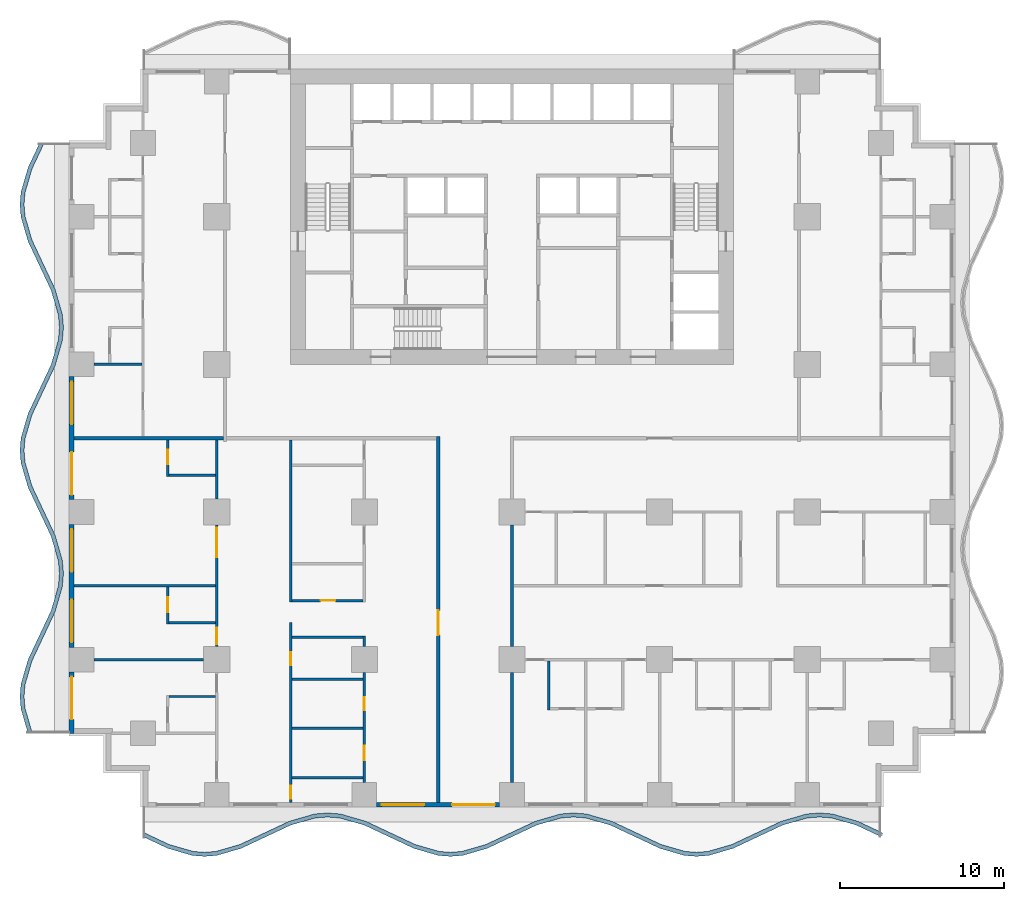
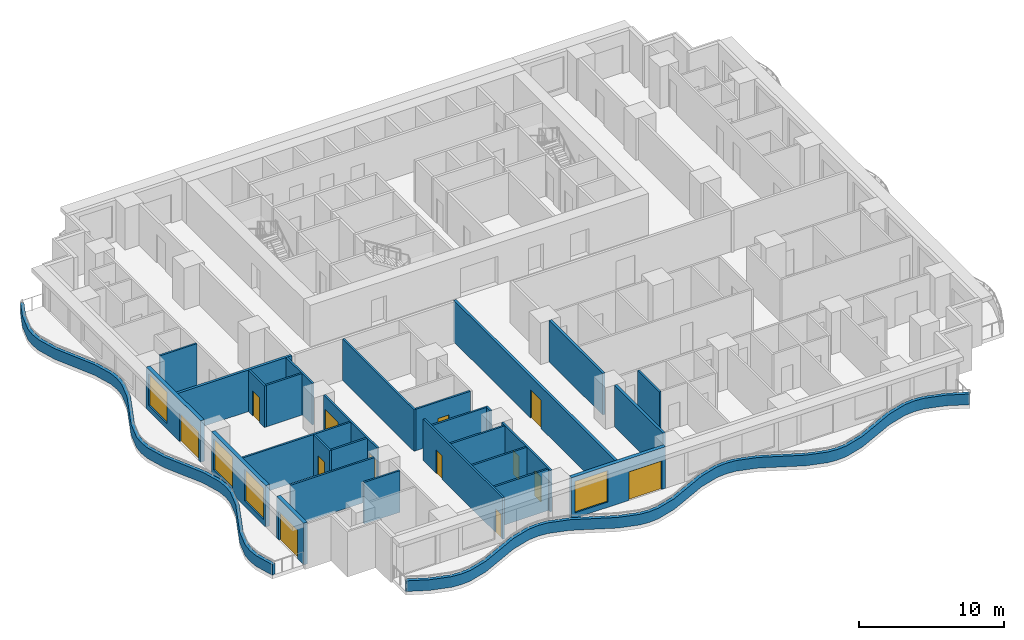
# One storey, part 2 of 14: 30 walls, 13 doors, 4 windows, 17 openings.
"""IFC4 building model written with IfcOpenShell, lengths in metres."""

from ifc_helpers import new_model, si_unit, direction, frame, frame_2d, origin, place, context, subcontext, project, spatial, polyline, rectangle, outline, extrude, material, layer, layer_set, type_object, element, fill, save


model = new_model("IFC4")

# Units and contexts
model_context = context("Model", 3, precision=1e-05, world=origin(), true_north=direction((0.0, 1.0)))
body_context = subcontext(model_context, "Body", "Model", "MODEL_VIEW")
ifc_project = project(units=[si_unit("LENGTHUNIT", "METRE"), si_unit("AREAUNIT", "SQUARE_METRE"), si_unit("VOLUMEUNIT", "CUBIC_METRE"), si_unit("PLANEANGLEUNIT", "RADIAN"), si_unit("MASSUNIT", "GRAM", prefix="KILO")], contexts=[model_context])

# Site, building, storey
site_placement = place(None, origin())
site = spatial("IfcSite", under=ifc_project, at=site_placement, CompositionType="ELEMENT")
building_placement = place(site_placement, origin())
building = spatial("IfcBuilding", under=site, at=building_placement, Name="Orbiselva Terraces", CompositionType="ELEMENT")
storey_placement = place(building_placement, frame((0.0, 0.0, 15.0)))
storey = spatial("IfcBuildingStorey", under=building, at=storey_placement, Name="L03", CompositionType="ELEMENT", Elevation=15.0)

# Walls
ifc_material_1 = material(Name="Concrete C40/50", Category="concrete")
ifc_layer_1 = layer(ifc_material_1, 0.25)
ifc_layer_set_1 = layer_set([ifc_layer_1], Name="Concrete C40/50")
wall_type_1 = type_object("IfcWallType", Name="ENV-PLANTER-250x900", PredefinedType="USERDEFINED", material=ifc_layer_set_1)
wall_1_placement = place(storey_placement, origin())
element("IfcWall", 1, at=wall_1_placement, inside=storey, type_object=wall_type_1, Name="Balcony planter L03 S", ObjectType="PLANTER", PredefinedType="USERDEFINED", context=body_context, shape_type="SweptSolid", body=[
    extrude(outline(polyline([(-22.5, -24.3), (-21.0, -25.005342), (-19.5, -25.441268), (-18.75, -25.5), (-18.0, -25.441268), (-16.5, -25.005342), (-15.0, -24.3), (-13.5, -23.594658), (-12.0, -23.158732), (-11.25, -23.1), (-10.5, -23.158732), (-9.0, -23.594658), (-7.5, -24.3), (-6.0, -25.005342), (-4.5, -25.441268), (-3.75, -25.5), (-3.0, -25.441268), (-1.5, -25.005342), (0.0, -24.3), (1.5, -23.594658), (3.0, -23.158732), (3.75, -23.1), (4.5, -23.158732), (6.0, -23.594658), (7.5, -24.3), (9.0, -25.005342), (10.5, -25.441268), (11.25, -25.5), (12.0, -25.441268), (13.5, -25.005342), (15.0, -24.3), (16.5, -23.594658), (18.0, -23.158732), (18.75, -23.1), (19.5, -23.158732), (21.0, -23.594658), (22.5, -24.3), (22.606383, -24.073764), (21.088618, -23.360069), (19.545114, -22.911499), (18.75, -22.849235), (17.954886, -22.911499), (16.411382, -23.360069), (14.893617, -24.073764), (13.411382, -24.770753), (11.954886, -25.194035), (11.25, -25.249235), (10.545114, -25.194035), (9.088618, -24.770753), (7.606383, -24.073764), (6.088618, -23.360069), (4.545114, -22.911499), (3.75, -22.849235), (2.954886, -22.911499), (1.411382, -23.360069), (-0.106383, -24.073764), (-1.588618, -24.770753), (-3.045114, -25.194035), (-3.75, -25.249235), (-4.454886, -25.194035), (-5.911382, -24.770753), (-7.393617, -24.073764), (-8.911382, -23.360069), (-10.454886, -22.911499), (-11.25, -22.849235), (-12.045114, -22.911499), (-13.588618, -23.360069), (-15.106383, -24.073764), (-16.588618, -24.770753), (-18.045114, -25.194035), (-18.75, -25.249235), (-19.454886, -25.194035), (-20.911382, -24.770753), (-22.393617, -24.073764), (-22.5, -24.3)])), origin(), (0.0, 0.0, 1.0), 0.9),
])
wall_2_placement = place(storey_placement, origin())
element("IfcWall", 2, at=wall_2_placement, inside=storey, type_object=wall_type_1, Name="Balcony planter L03 W", ObjectType="PLANTER", PredefinedType="USERDEFINED", context=body_context, shape_type="SweptSolid", body=[
    extrude(outline(polyline([(-28.8, 18.0), (-29.505342, 16.5), (-29.941268, 15.0), (-30.0, 14.25), (-29.941268, 13.5), (-29.505342, 12.0), (-28.8, 10.5), (-28.094658, 9.0), (-27.658732, 7.5), (-27.6, 6.75), (-27.658732, 6.0), (-28.094658, 4.5), (-28.8, 3.0), (-29.505342, 1.5), (-29.941268, 0.0), (-30.0, -0.75), (-29.941268, -1.5), (-29.505342, -3.0), (-28.8, -4.5), (-28.094658, -6.0), (-27.658732, -7.5), (-27.6, -8.25), (-27.658732, -9.0), (-28.094658, -10.5), (-28.8, -12.0), (-29.505342, -13.5), (-29.941268, -15.0), (-30.0, -15.75), (-29.941268, -16.5), (-29.505342, -18.0), (-29.265274, -17.930232), (-29.694035, -16.454886), (-29.749235, -15.75), (-29.694035, -15.045114), (-29.270753, -13.588618), (-28.573764, -12.106383), (-27.860069, -10.588618), (-27.411499, -9.045114), (-27.349235, -8.25), (-27.411499, -7.454886), (-27.860069, -5.911382), (-28.573764, -4.393617), (-29.270753, -2.911382), (-29.694035, -1.454886), (-29.749235, -0.75), (-29.694035, -0.045114), (-29.270753, 1.411382), (-28.573764, 2.893617), (-27.860069, 4.411382), (-27.411499, 5.954886), (-27.349235, 6.75), (-27.411499, 7.545114), (-27.860069, 9.088618), (-28.573764, 10.606383), (-29.270753, 12.088618), (-29.694035, 13.545114), (-29.749235, 14.25), (-29.694035, 14.954886), (-29.270753, 16.411382), (-28.573764, 17.893617), (-28.8, 18.0)])), origin(), (0.0, 0.0, 1.0), 0.9),
])

# Wall, openings, door, window
ifc_material_2 = material(Name="Terracotta cladding on masonry backing", Category="masonry")
ifc_layer_2 = layer(ifc_material_2, 0.3)
ifc_layer_set_2 = layer_set([ifc_layer_2], Name="Terracotta cladding on masonry backing")
wall_type_2 = type_object("IfcWallType", Name="ENV-WALL-TERRACOTTA-300", PredefinedType="SOLIDWALL", material=ifc_layer_set_2)
wall_3_placement = place(storey_placement, frame((-0.75, -22.35, 0.0), z_axis=(0.0, 0.0, 1.0), x_axis=(-1.0, 0.0, 0.0)))
wall_3 = element("IfcWall", 3, at=wall_3_placement, inside=storey, type_object=wall_type_2, Name="Facade wall L03 S", PredefinedType="SOLIDWALL", context=body_context, shape_type="SweptSolid", body=[
    extrude(rectangle(XDim=7.5, YDim=0.3, at=frame_2d((3.75, 0.0))), origin(), (0.0, 0.0, 1.0), 3.5),
])
opening_1_placement = place(wall_3_placement, frame((4.6, 0.0, 0.45)))
opening_1 = element("IfcOpeningElement", 4, at=opening_1_placement, cuts=wall_3, Name="Opening WN1", PredefinedType="OPENING", context=body_context, shape_type="SweptSolid", body=[
    extrude(rectangle(XDim=2.6, YDim=2.65, at=frame_2d((1.3, 1.325))), frame((0.0, 0.16, 0.0), z_axis=(0.0, -1.0, 0.0), x_axis=(1.0, 0.0, 0.0)), (0.0, 0.0, 1.0), 0.32),
])
opening_2_placement = place(wall_3_placement, frame((0.3, 0.0, 0.0)))
opening_2 = element("IfcOpeningElement", 5, at=opening_2_placement, cuts=wall_3, Name="Opening Z1-A-E02", PredefinedType="OPENING", context=body_context, shape_type="SweptSolid", body=[
    extrude(rectangle(XDim=2.6, YDim=2.4, at=frame_2d((1.3, 1.2))), frame((0.0, 0.16, 0.0), z_axis=(0.0, -1.0, 0.0), x_axis=(1.0, 0.0, 0.0)), (0.0, 0.0, 1.0), 0.32),
])
ifc_material_3 = material(Name="Clear low-e glazing in aluminium frame", Category="aluminium")
door_type_1 = type_object("IfcDoorType", Name="BALCONY DOOR 2600 X 2400", OperationType="DOUBLE_DOOR_SLIDING", PredefinedType="DOOR", material=ifc_material_3)
door_1_placement = place(opening_2_placement, origin())
door_1 = element("IfcDoor", 6, at=door_1_placement, inside=storey, type_object=door_type_1, Name="Z1-A-E02", OperationType="SINGLE_SWING_LEFT", OverallHeight=2.4, OverallWidth=2.6, PredefinedType="DOOR", context=body_context, shape_type="SweptSolid", body=[
    extrude(rectangle(XDim=2.6, YDim=2.4, at=frame_2d((1.3, 1.2))), frame((0.0, 0.025, 0.0), z_axis=(0.0, -1.0, 0.0), x_axis=(1.0, 0.0, 0.0)), (0.0, 0.0, 1.0), 0.05),
])
fill(opening_2, door_1)
window_type = type_object("IfcWindowType", Name="WINDOW 2600 X 2650 S450", PartitioningType="TRIPLE_PANEL_VERTICAL", PredefinedType="WINDOW", material=ifc_material_3)
window_1_placement = place(opening_1_placement, origin())
window_1 = element("IfcWindow", 7, at=window_1_placement, inside=storey, type_object=window_type, Name="Window L03 S", OverallHeight=2.65, OverallWidth=2.6, PartitioningType="SINGLE_PANEL", PredefinedType="WINDOW", context=body_context, shape_type="SweptSolid", body=[
    extrude(rectangle(XDim=2.6, YDim=2.65, at=frame_2d((1.3, 1.325))), frame((0.0, 0.03, 0.0), z_axis=(0.0, -1.0, 0.0), x_axis=(1.0, 0.0, 0.0)), (0.0, 0.0, 1.0), 0.06),
])
fill(opening_1, window_1)

wall_4_placement = place(storey_placement, frame((-26.85, -3.75, 0.0), z_axis=(0.0, 0.0, 1.0), x_axis=(0.0, 1.0, 0.0)))
wall_4 = element("IfcWall", 8, at=wall_4_placement, inside=storey, type_object=wall_type_2, Name="Facade wall L03 W", PredefinedType="SOLIDWALL", context=body_context, shape_type="SweptSolid", body=[
    extrude(rectangle(XDim=7.5, YDim=0.3, at=frame_2d((3.75, 0.0))), origin(), (0.0, 0.0, 1.0), 3.5),
])
opening_3_placement = place(wall_4_placement, frame((4.6, 0.0, 0.45)))
opening_3 = element("IfcOpeningElement", 9, at=opening_3_placement, cuts=wall_4, Name="Opening WN1", PredefinedType="OPENING", context=body_context, shape_type="SweptSolid", body=[
    extrude(rectangle(XDim=2.6, YDim=2.65, at=frame_2d((1.3, 1.325))), frame((0.0, 0.16, 0.0), z_axis=(0.0, -1.0, 0.0), x_axis=(1.0, 0.0, 0.0)), (0.0, 0.0, 1.0), 0.32),
])
opening_4_placement = place(wall_4_placement, frame((0.3, 0.0, 0.0)))
opening_4 = element("IfcOpeningElement", 10, at=opening_4_placement, cuts=wall_4, Name="Opening Z1-A-E10", PredefinedType="OPENING", context=body_context, shape_type="SweptSolid", body=[
    extrude(rectangle(XDim=2.6, YDim=2.4, at=frame_2d((1.3, 1.2))), frame((0.0, 0.16, 0.0), z_axis=(0.0, -1.0, 0.0), x_axis=(1.0, 0.0, 0.0)), (0.0, 0.0, 1.0), 0.32),
])
door_2_placement = place(opening_4_placement, origin())
door_2 = element("IfcDoor", 11, at=door_2_placement, inside=storey, type_object=door_type_1, Name="Z1-A-E10", OperationType="SINGLE_SWING_LEFT", OverallHeight=2.4, OverallWidth=2.6, PredefinedType="DOOR", context=body_context, shape_type="SweptSolid", body=[
    extrude(rectangle(XDim=2.6, YDim=2.4, at=frame_2d((1.3, 1.2))), frame((0.0, 0.025, 0.0), z_axis=(0.0, -1.0, 0.0), x_axis=(1.0, 0.0, 0.0)), (0.0, 0.0, 1.0), 0.05),
])
fill(opening_4, door_2)
window_2_placement = place(opening_3_placement, origin())
window_2 = element("IfcWindow", 12, at=window_2_placement, inside=storey, type_object=window_type, Name="Window L03 W", OverallHeight=2.65, OverallWidth=2.6, PartitioningType="SINGLE_PANEL", PredefinedType="WINDOW", context=body_context, shape_type="SweptSolid", body=[
    extrude(rectangle(XDim=2.6, YDim=2.65, at=frame_2d((1.3, 1.325))), frame((0.0, 0.03, 0.0), z_axis=(0.0, -1.0, 0.0), x_axis=(1.0, 0.0, 0.0)), (0.0, 0.0, 1.0), 0.06),
])
fill(opening_3, window_2)

# Wall, openings, windows
wall_5_placement = place(storey_placement, frame((-26.85, -12.75, 0.0), z_axis=(0.0, 0.0, 1.0), x_axis=(0.0, 1.0, 0.0)))
wall_5 = element("IfcWall", 13, at=wall_5_placement, inside=storey, type_object=wall_type_2, Name="Facade wall L03 W", PredefinedType="SOLIDWALL", context=body_context, shape_type="SweptSolid", body=[
    extrude(rectangle(XDim=7.5, YDim=0.3, at=frame_2d((3.75, 0.0))), origin(), (0.0, 0.0, 1.0), 3.5),
])
opening_5_placement = place(wall_5_placement, frame((4.6, 0.0, 0.45)))
opening_5 = element("IfcOpeningElement", 14, at=opening_5_placement, cuts=wall_5, Name="Opening WN1", PredefinedType="OPENING", context=body_context, shape_type="SweptSolid", body=[
    extrude(rectangle(XDim=2.6, YDim=2.65, at=frame_2d((1.3, 1.325))), frame((0.0, 0.16, 0.0), z_axis=(0.0, -1.0, 0.0), x_axis=(1.0, 0.0, 0.0)), (0.0, 0.0, 1.0), 0.32),
])
opening_6_placement = place(wall_5_placement, frame((0.3, 0.0, 0.45)))
opening_6 = element("IfcOpeningElement", 15, at=opening_6_placement, cuts=wall_5, Name="Opening WN1", PredefinedType="OPENING", context=body_context, shape_type="SweptSolid", body=[
    extrude(rectangle(XDim=2.6, YDim=2.65, at=frame_2d((1.3, 1.325))), frame((0.0, 0.16, 0.0), z_axis=(0.0, -1.0, 0.0), x_axis=(1.0, 0.0, 0.0)), (0.0, 0.0, 1.0), 0.32),
])
window_3_placement = place(opening_5_placement, origin())
window_3 = element("IfcWindow", 16, at=window_3_placement, inside=storey, type_object=window_type, Name="Window L03 W", OverallHeight=2.65, OverallWidth=2.6, PartitioningType="SINGLE_PANEL", PredefinedType="WINDOW", context=body_context, shape_type="SweptSolid", body=[
    extrude(rectangle(XDim=2.6, YDim=2.65, at=frame_2d((1.3, 1.325))), frame((0.0, 0.03, 0.0), z_axis=(0.0, -1.0, 0.0), x_axis=(1.0, 0.0, 0.0)), (0.0, 0.0, 1.0), 0.06),
])
fill(opening_5, window_3)
window_4_placement = place(opening_6_placement, origin())
window_4 = element("IfcWindow", 17, at=window_4_placement, inside=storey, type_object=window_type, Name="Window L03 W", OverallHeight=2.65, OverallWidth=2.6, PartitioningType="SINGLE_PANEL", PredefinedType="WINDOW", context=body_context, shape_type="SweptSolid", body=[
    extrude(rectangle(XDim=2.6, YDim=2.65, at=frame_2d((1.3, 1.325))), frame((0.0, 0.03, 0.0), z_axis=(0.0, -1.0, 0.0), x_axis=(1.0, 0.0, 0.0)), (0.0, 0.0, 1.0), 0.06),
])
fill(opening_6, window_4)

# Wall, opening, door
wall_6_placement = place(storey_placement, frame((-26.85, -18.0, 0.0), z_axis=(0.0, 0.0, 1.0), x_axis=(0.0, 1.0, 0.0)))
wall_6 = element("IfcWall", 18, at=wall_6_placement, inside=storey, type_object=wall_type_2, Name="Facade wall L03 W", PredefinedType="SOLIDWALL", context=body_context, shape_type="SweptSolid", body=[
    extrude(rectangle(XDim=3.75, YDim=0.3, at=frame_2d((1.875, 0.0))), origin(), (0.0, 0.0, 1.0), 3.5),
])
opening_7_placement = place(wall_6_placement, frame((0.85, 0.0, 0.0)))
opening_7 = element("IfcOpeningElement", 19, at=opening_7_placement, cuts=wall_6, Name="Opening Z1-A-E11", PredefinedType="OPENING", context=body_context, shape_type="SweptSolid", body=[
    extrude(rectangle(XDim=2.6, YDim=2.4, at=frame_2d((1.3, 1.2))), frame((0.0, 0.16, 0.0), z_axis=(0.0, -1.0, 0.0), x_axis=(1.0, 0.0, 0.0)), (0.0, 0.0, 1.0), 0.32),
])
door_3_placement = place(opening_7_placement, origin())
door_3 = element("IfcDoor", 20, at=door_3_placement, inside=storey, type_object=door_type_1, Name="Z1-A-E11", OperationType="SINGLE_SWING_LEFT", OverallHeight=2.4, OverallWidth=2.6, PredefinedType="DOOR", context=body_context, shape_type="SweptSolid", body=[
    extrude(rectangle(XDim=2.6, YDim=2.4, at=frame_2d((1.3, 1.2))), frame((0.0, 0.025, 0.0), z_axis=(0.0, -1.0, 0.0), x_axis=(1.0, 0.0, 0.0)), (0.0, 0.0, 1.0), 0.05),
])
fill(opening_7, door_3)

ifc_material_4 = material(Name="Plasterboard on steel stud partition", Category="steel")
ifc_layer_3 = layer(ifc_material_4, 0.2)
ifc_layer_set_3 = layer_set([ifc_layer_3], Name="Plasterboard on steel stud partition")
wall_type_3 = type_object("IfcWallType", Name="UNIT-ENTRANCE-WALL-200", PredefinedType="PARTITIONING", material=ifc_layer_set_3)
wall_7_placement = place(storey_placement, frame((-4.5, -22.2, 0.0), z_axis=(0.0, 0.0, 1.0), x_axis=(0.0, 1.0, 0.0)))
wall_7 = element("IfcWall", 21, at=wall_7_placement, inside=storey, type_object=wall_type_3, Name="PARTITION L03-066", PredefinedType="PARTITIONING", context=body_context, shape_type="SweptSolid", body=[
    extrude(rectangle(XDim=22.3, YDim=0.2, at=frame_2d((11.15, 0.0))), origin(), (0.0, 0.0, 1.0), 3.5),
])
opening_8_placement = place(wall_7_placement, frame((10.2, 0.0, 0.0)))
opening_8 = element("IfcOpeningElement", 22, at=opening_8_placement, cuts=wall_7, Name="Opening Z1-A-17", PredefinedType="OPENING", context=body_context, shape_type="SweptSolid", body=[
    extrude(rectangle(XDim=1.5, YDim=2.4, at=frame_2d((0.75, 1.2))), frame((0.0, 0.11, 0.0), z_axis=(0.0, -1.0, 0.0), x_axis=(1.0, 0.0, 0.0)), (0.0, 0.0, 1.0), 0.22),
])
ifc_material_5 = material(Name="Painted timber door leaf", Category="wood")
door_type_2 = type_object("IfcDoorType", Name="ENTRANCE DOUBLE DOOR 1500", OperationType="NOTDEFINED", PredefinedType="DOOR", material=ifc_material_5)
door_4_placement = place(opening_8_placement, origin())
door_4 = element("IfcDoor", 23, at=door_4_placement, inside=storey, type_object=door_type_2, Name="Z1-A-17", OperationType="DOUBLE_DOOR_SINGLE_SWING", OverallHeight=2.4, OverallWidth=1.5, PredefinedType="DOOR", context=body_context, shape_type="SweptSolid", body=[
    extrude(rectangle(XDim=1.5, YDim=2.4, at=frame_2d((0.75, 1.2))), frame((0.0, 0.025, 0.0), z_axis=(0.0, -1.0, 0.0), x_axis=(1.0, 0.0, 0.0)), (0.0, 0.0, 1.0), 0.05),
])
fill(opening_8, door_4)

# Walls
wall_8_placement = place(storey_placement, frame((0.0, -21.0, 0.0), z_axis=(0.0, 0.0, 1.0), x_axis=(0.0, 1.0, 0.0)))
element("IfcWall", 24, at=wall_8_placement, inside=storey, type_object=wall_type_3, Name="PARTITION L03-067", PredefinedType="PARTITIONING", context=body_context, shape_type="SweptSolid", body=[
    extrude(rectangle(XDim=6.7, YDim=0.2, at=frame_2d((3.35, 0.0))), origin(), (0.0, 0.0, 1.0), 3.5),
])
wall_9_placement = place(storey_placement, frame((0.0, -12.7, 0.0), z_axis=(0.0, 0.0, 1.0), x_axis=(0.0, 1.0, 0.0)))
element("IfcWall", 25, at=wall_9_placement, inside=storey, type_object=wall_type_3, Name="PARTITION L03-068", PredefinedType="PARTITIONING", context=body_context, shape_type="SweptSolid", body=[
    extrude(rectangle(XDim=7.4, YDim=0.2, at=frame_2d((3.7, 0.0))), origin(), (0.0, 0.0, 1.0), 3.5),
])
ifc_layer_4 = layer(ifc_material_4, 0.15)
ifc_layer_set_4 = layer_set([ifc_layer_4], Name="Plasterboard on steel stud partition")
wall_type_4 = type_object("IfcWallType", Name="UNIT-PARTITION-150", PredefinedType="PARTITIONING", material=ifc_layer_set_4)
for number, where, z_axis, x_axis, name in (
    (26, (-13.425, -20.7, 0.0), (0.0, 0.0, 1.0), (1.0, 0.0, 0.0), "PARTITION L03-001"),
    (27, (-13.425, -17.7, 0.0), (0.0, 0.0, 1.0), (1.0, 0.0, 0.0), "PARTITION L03-004"),
):
    element("IfcWall", number, at=place(storey_placement, frame(where, z_axis=z_axis, x_axis=x_axis)), inside=storey, type_object=wall_type_4, Name=name, PredefinedType="PARTITIONING", context=body_context, shape_type="SweptSolid", body=[
        extrude(rectangle(XDim=4.35, YDim=0.15, at=frame_2d((2.175, 0.0))), origin(), (0.0, 0.0, 1.0), 3.5),
    ])
wall_10_placement = place(storey_placement, frame((-20.925, -15.75, 0.0), z_axis=(0.0, 0.0, 1.0), x_axis=(1.0, 0.0, 0.0)))
element("IfcWall", 28, at=wall_10_placement, inside=storey, type_object=wall_type_4, Name="PARTITION L03-010", PredefinedType="PARTITIONING", context=body_context, shape_type="SweptSolid", body=[
    extrude(rectangle(XDim=2.85, YDim=0.15, at=frame_2d((1.425, 0.0))), origin(), (0.0, 0.0, 1.0), 3.5),
])
wall_11_placement = place(storey_placement, frame((-13.425, -14.7, 0.0), z_axis=(0.0, 0.0, 1.0), x_axis=(1.0, 0.0, 0.0)))
element("IfcWall", 29, at=wall_11_placement, inside=storey, type_object=wall_type_4, Name="PARTITION L03-011", PredefinedType="PARTITIONING", context=body_context, shape_type="SweptSolid", body=[
    extrude(rectangle(XDim=4.35, YDim=0.15, at=frame_2d((2.175, 0.0))), origin(), (0.0, 0.0, 1.0), 3.5),
])
wall_12_placement = place(storey_placement, frame((-25.5, -13.5, 0.0), z_axis=(0.0, 0.0, 1.0), x_axis=(1.0, 0.0, 0.0)))
element("IfcWall", 30, at=wall_12_placement, inside=storey, type_object=wall_type_4, Name="PARTITION L03-012", PredefinedType="PARTITIONING", context=body_context, shape_type="SweptSolid", body=[
    extrude(rectangle(XDim=6.7, YDim=0.15, at=frame_2d((3.35, 0.0))), origin(), (0.0, 0.0, 1.0), 3.5),
])
wall_13_placement = place(storey_placement, frame((-13.425, -12.15, 0.0), z_axis=(0.0, 0.0, 1.0), x_axis=(1.0, 0.0, 0.0)))
element("IfcWall", 31, at=wall_13_placement, inside=storey, type_object=wall_type_4, Name="PARTITION L03-016", PredefinedType="PARTITIONING", context=body_context, shape_type="SweptSolid", body=[
    extrude(rectangle(XDim=4.35, YDim=0.15, at=frame_2d((2.175, 0.0))), origin(), (0.0, 0.0, 1.0), 3.5),
])
wall_14_placement = place(storey_placement, frame((-20.925, -11.25, 0.0), z_axis=(0.0, 0.0, 1.0), x_axis=(1.0, 0.0, 0.0)))
element("IfcWall", 32, at=wall_14_placement, inside=storey, type_object=wall_type_4, Name="PARTITION L03-017", PredefinedType="PARTITIONING", context=body_context, shape_type="SweptSolid", body=[
    extrude(rectangle(XDim=2.85, YDim=0.15, at=frame_2d((1.425, 0.0))), origin(), (0.0, 0.0, 1.0), 3.5),
])

# Wall, opening, door
wall_15_placement = place(storey_placement, frame((-13.425, -9.9, 0.0), z_axis=(0.0, 0.0, 1.0), x_axis=(1.0, 0.0, 0.0)))
wall_15 = element("IfcWall", 33, at=wall_15_placement, inside=storey, type_object=wall_type_4, Name="PARTITION L03-018", PredefinedType="PARTITIONING", context=body_context, shape_type="SweptSolid", body=[
    extrude(rectangle(XDim=4.35, YDim=0.15, at=frame_2d((2.175, 0.0))), origin(), (0.0, 0.0, 1.0), 3.5),
])
opening_9_placement = place(wall_15_placement, frame((1.75, 0.0, 0.0)))
opening_9 = element("IfcOpeningElement", 34, at=opening_9_placement, cuts=wall_15, Name="Opening Z1-A-20", PredefinedType="OPENING", context=body_context, shape_type="SweptSolid", body=[
    extrude(rectangle(XDim=0.9, YDim=2.1, at=frame_2d((0.45, 1.05))), frame((0.0, 0.085, 0.0), z_axis=(0.0, -1.0, 0.0), x_axis=(1.0, 0.0, 0.0)), (0.0, 0.0, 1.0), 0.17),
])
door_type_3 = type_object("IfcDoorType", Name="BATH DOOR 900", OperationType="NOTDEFINED", PredefinedType="DOOR", material=ifc_material_5)
door_5_placement = place(opening_9_placement, origin())
door_5 = element("IfcDoor", 35, at=door_5_placement, inside=storey, type_object=door_type_3, Name="Z1-A-20", OperationType="SINGLE_SWING_RIGHT", OverallHeight=2.1, OverallWidth=0.9, PredefinedType="DOOR", context=body_context, shape_type="SweptSolid", body=[
    extrude(rectangle(XDim=0.9, YDim=2.1, at=frame_2d((0.45, 1.05))), frame((0.0, 0.025, 0.0), z_axis=(0.0, -1.0, 0.0), x_axis=(1.0, 0.0, 0.0)), (0.0, 0.0, 1.0), 0.05),
])
fill(opening_9, door_5)

# Walls
wall_16_placement = place(storey_placement, frame((-26.7, -9.0, 0.0), z_axis=(0.0, 0.0, 1.0), x_axis=(1.0, 0.0, 0.0)))
element("IfcWall", 36, at=wall_16_placement, inside=storey, type_object=wall_type_4, Name="PARTITION L03-019", PredefinedType="PARTITIONING", context=body_context, shape_type="SweptSolid", body=[
    extrude(rectangle(XDim=8.625, YDim=0.15, at=frame_2d((4.3125, 0.0))), origin(), (0.0, 0.0, 1.0), 3.5),
])
wall_17_placement = place(storey_placement, frame((-20.925, -2.25, 0.0), z_axis=(0.0, 0.0, 1.0), x_axis=(1.0, 0.0, 0.0)))
element("IfcWall", 37, at=wall_17_placement, inside=storey, type_object=wall_type_4, Name="PARTITION L03-027", PredefinedType="PARTITIONING", context=body_context, shape_type="SweptSolid", body=[
    extrude(rectangle(XDim=2.85, YDim=0.15, at=frame_2d((1.425, 0.0))), origin(), (0.0, 0.0, 1.0), 3.5),
])
wall_18_placement = place(storey_placement, frame((-25.5, 4.5, 0.0), z_axis=(0.0, 0.0, 1.0), x_axis=(1.0, 0.0, 0.0)))
element("IfcWall", 38, at=wall_18_placement, inside=storey, type_object=wall_type_4, Name="PARTITION L03-033", PredefinedType="PARTITIONING", context=body_context, shape_type="SweptSolid", body=[
    extrude(rectangle(XDim=2.925, YDim=0.15, at=frame_2d((1.4625, 0.0))), origin(), (0.0, 0.0, 1.0), 3.5),
])

# Wall, opening, door
wall_19_placement = place(storey_placement, frame((-21.0, -9.075, 0.0), z_axis=(0.0, 0.0, 1.0), x_axis=(0.0, -1.0, 0.0)))
wall_19 = element("IfcWall", 39, at=wall_19_placement, inside=storey, type_object=wall_type_4, Name="PARTITION L03-052", PredefinedType="PARTITIONING", context=body_context, shape_type="SweptSolid", body=[
    extrude(rectangle(XDim=2.25, YDim=0.15, at=frame_2d((1.125, 0.0))), origin(), (0.0, 0.0, 1.0), 3.5),
])
opening_10_placement = place(wall_19_placement, frame((0.625, 0.0, 0.0)))
opening_10 = element("IfcOpeningElement", 40, at=opening_10_placement, cuts=wall_19, Name="Opening Z1-A-28", PredefinedType="OPENING", context=body_context, shape_type="SweptSolid", body=[
    extrude(rectangle(XDim=0.9, YDim=2.1, at=frame_2d((0.45, 1.05))), frame((0.0, 0.085, 0.0), z_axis=(0.0, -1.0, 0.0), x_axis=(1.0, 0.0, 0.0)), (0.0, 0.0, 1.0), 0.17),
])
door_6_placement = place(opening_10_placement, origin())
door_6 = element("IfcDoor", 41, at=door_6_placement, inside=storey, type_object=door_type_3, Name="Z1-A-28", OperationType="SINGLE_SWING_LEFT", OverallHeight=2.1, OverallWidth=0.9, PredefinedType="DOOR", context=body_context, shape_type="SweptSolid", body=[
    extrude(rectangle(XDim=0.9, YDim=2.1, at=frame_2d((0.45, 1.05))), frame((0.0, 0.025, 0.0), z_axis=(0.0, -1.0, 0.0), x_axis=(1.0, 0.0, 0.0)), (0.0, 0.0, 1.0), 0.05),
])
fill(opening_10, door_6)

wall_20_placement = place(storey_placement, frame((-21.0, -0.1, 0.0), z_axis=(0.0, 0.0, 1.0), x_axis=(0.0, -1.0, 0.0)))
wall_20 = element("IfcWall", 42, at=wall_20_placement, inside=storey, type_object=wall_type_4, Name="PARTITION L03-053", PredefinedType="PARTITIONING", context=body_context, shape_type="SweptSolid", body=[
    extrude(rectangle(XDim=2.225, YDim=0.15, at=frame_2d((1.1125, 0.0))), origin(), (0.0, 0.0, 1.0), 3.5),
])
opening_11_placement = place(wall_20_placement, frame((0.6, 0.0, 0.0)))
opening_11 = element("IfcOpeningElement", 43, at=opening_11_placement, cuts=wall_20, Name="Opening Z1-A-26", PredefinedType="OPENING", context=body_context, shape_type="SweptSolid", body=[
    extrude(rectangle(XDim=0.9, YDim=2.1, at=frame_2d((0.45, 1.05))), frame((0.0, 0.085, 0.0), z_axis=(0.0, -1.0, 0.0), x_axis=(1.0, 0.0, 0.0)), (0.0, 0.0, 1.0), 0.17),
])
door_7_placement = place(opening_11_placement, origin())
door_7 = element("IfcDoor", 44, at=door_7_placement, inside=storey, type_object=door_type_3, Name="Z1-A-26", OperationType="SINGLE_SWING_LEFT", OverallHeight=2.1, OverallWidth=0.9, PredefinedType="DOOR", context=body_context, shape_type="SweptSolid", body=[
    extrude(rectangle(XDim=0.9, YDim=2.1, at=frame_2d((0.45, 1.05))), frame((0.0, 0.025, 0.0), z_axis=(0.0, -1.0, 0.0), x_axis=(1.0, 0.0, 0.0)), (0.0, 0.0, 1.0), 0.05),
])
fill(opening_11, door_7)

# Wall, openings, doors
wall_21_placement = place(storey_placement, frame((-18.0, -12.7, 0.0), z_axis=(0.0, 0.0, 1.0), x_axis=(0.0, 1.0, 0.0)))
wall_21 = element("IfcWall", 45, at=wall_21_placement, inside=storey, type_object=wall_type_4, Name="PARTITION L03-055", PredefinedType="PARTITIONING", context=body_context, shape_type="SweptSolid", body=[
    extrude(rectangle(XDim=7.4, YDim=0.15, at=frame_2d((3.7, 0.0))), origin(), (0.0, 0.0, 1.0), 3.5),
])
opening_12_placement = place(wall_21_placement, frame((5.45, 0.0, 0.0)))
opening_12 = element("IfcOpeningElement", 46, at=opening_12_placement, cuts=wall_21, Name="Opening Z1-A-25", PredefinedType="OPENING", context=body_context, shape_type="SweptSolid", body=[
    extrude(rectangle(XDim=1.8, YDim=2.4, at=frame_2d((0.9, 1.2))), frame((0.0, 0.085, 0.0), z_axis=(0.0, -1.0, 0.0), x_axis=(1.0, 0.0, 0.0)), (0.0, 0.0, 1.0), 0.17),
])
opening_13_placement = place(wall_21_placement, frame((0.15, 0.0, 0.0)))
opening_13 = element("IfcOpeningElement", 47, at=opening_13_placement, cuts=wall_21, Name="Opening Z1-A-27", PredefinedType="OPENING", context=body_context, shape_type="SweptSolid", body=[
    extrude(rectangle(XDim=1.0, YDim=2.4, at=frame_2d((0.5, 1.2))), frame((0.0, 0.085, 0.0), z_axis=(0.0, -1.0, 0.0), x_axis=(1.0, 0.0, 0.0)), (0.0, 0.0, 1.0), 0.17),
])
door_type_4 = type_object("IfcDoorType", Name="DOUBLE DOOR 1800", OperationType="NOTDEFINED", PredefinedType="DOOR", material=ifc_material_5)
door_8_placement = place(opening_12_placement, origin())
door_8 = element("IfcDoor", 48, at=door_8_placement, inside=storey, type_object=door_type_4, Name="Z1-A-25", OperationType="DOUBLE_DOOR_SINGLE_SWING", OverallHeight=2.4, OverallWidth=1.8, PredefinedType="DOOR", context=body_context, shape_type="SweptSolid", body=[
    extrude(rectangle(XDim=1.8, YDim=2.4, at=frame_2d((0.9, 1.2))), frame((0.0, 0.025, 0.0), z_axis=(0.0, -1.0, 0.0), x_axis=(1.0, 0.0, 0.0)), (0.0, 0.0, 1.0), 0.05),
])
fill(opening_12, door_8)
door_type_5 = type_object("IfcDoorType", Name="ROOM DOOR 1000", OperationType="NOTDEFINED", PredefinedType="DOOR", material=ifc_material_5)
door_9_placement = place(opening_13_placement, origin())
door_9 = element("IfcDoor", 49, at=door_9_placement, inside=storey, type_object=door_type_5, Name="Z1-A-27", OperationType="SINGLE_SWING_LEFT", OverallHeight=2.4, OverallWidth=1.0, PredefinedType="DOOR", context=body_context, shape_type="SweptSolid", body=[
    extrude(rectangle(XDim=1.0, YDim=2.4, at=frame_2d((0.5, 1.2))), frame((0.0, 0.025, 0.0), z_axis=(0.0, -1.0, 0.0), x_axis=(1.0, 0.0, 0.0)), (0.0, 0.0, 1.0), 0.05),
])
fill(opening_13, door_9)

# Wall
wall_22_placement = place(storey_placement, frame((-18.0, -3.7, 0.0), z_axis=(0.0, 0.0, 1.0), x_axis=(0.0, 1.0, 0.0)))
element("IfcWall", 50, at=wall_22_placement, inside=storey, type_object=wall_type_4, Name="PARTITION L03-056", PredefinedType="PARTITIONING", context=body_context, shape_type="SweptSolid", body=[
    extrude(rectangle(XDim=3.6, YDim=0.15, at=frame_2d((1.8, 0.0))), origin(), (0.0, 0.0, 1.0), 3.5),
])

# Wall, openings, doors
wall_23_placement = place(storey_placement, frame((-13.5, -11.25, 0.0), z_axis=(0.0, 0.0, 1.0), x_axis=(0.0, -1.0, 0.0)))
wall_23 = element("IfcWall", 51, at=wall_23_placement, inside=storey, type_object=wall_type_4, Name="PARTITION L03-060", PredefinedType="PARTITIONING", context=body_context, shape_type="SweptSolid", body=[
    extrude(rectangle(XDim=10.95, YDim=0.15, at=frame_2d((5.475, 0.0))), origin(), (0.0, 0.0, 1.0), 3.5),
])
opening_14_placement = place(wall_23_placement, frame((1.8, 0.0, 0.0)))
opening_14 = element("IfcOpeningElement", 52, at=opening_14_placement, cuts=wall_23, Name="Opening Z1-A-21", PredefinedType="OPENING", context=body_context, shape_type="SweptSolid", body=[
    extrude(rectangle(XDim=0.8, YDim=2.0, at=frame_2d((0.4, 1.0))), frame((0.0, 0.085, 0.0), z_axis=(0.0, -1.0, 0.0), x_axis=(1.0, 0.0, 0.0)), (0.0, 0.0, 1.0), 0.17),
])
opening_15_placement = place(wall_23_placement, frame((9.95, 0.0, 0.0)))
opening_15 = element("IfcOpeningElement", 53, at=opening_15_placement, cuts=wall_23, Name="Opening Z1-A-24", PredefinedType="OPENING", context=body_context, shape_type="SweptSolid", body=[
    extrude(rectangle(XDim=0.8, YDim=2.0, at=frame_2d((0.4, 1.0))), frame((0.0, 0.085, 0.0), z_axis=(0.0, -1.0, 0.0), x_axis=(1.0, 0.0, 0.0)), (0.0, 0.0, 1.0), 0.17),
])
door_type_6 = type_object("IfcDoorType", Name="STORE DOOR 800", OperationType="NOTDEFINED", PredefinedType="DOOR", material=ifc_material_5)
door_10_placement = place(opening_14_placement, origin())
door_10 = element("IfcDoor", 54, at=door_10_placement, inside=storey, type_object=door_type_6, Name="Z1-A-21", OperationType="SINGLE_SWING_LEFT", OverallHeight=2.0, OverallWidth=0.8, PredefinedType="DOOR", context=body_context, shape_type="SweptSolid", body=[
    extrude(rectangle(XDim=0.8, YDim=2.0, at=frame_2d((0.4, 1.0))), frame((0.0, 0.025, 0.0), z_axis=(0.0, -1.0, 0.0), x_axis=(1.0, 0.0, 0.0)), (0.0, 0.0, 1.0), 0.05),
])
fill(opening_14, door_10)
door_11_placement = place(opening_15_placement, origin())
door_11 = element("IfcDoor", 55, at=door_11_placement, inside=storey, type_object=door_type_6, Name="Z1-A-24", OperationType="SINGLE_SWING_RIGHT", OverallHeight=2.0, OverallWidth=0.8, PredefinedType="DOOR", context=body_context, shape_type="SweptSolid", body=[
    extrude(rectangle(XDim=0.8, YDim=2.0, at=frame_2d((0.4, 1.0))), frame((0.0, 0.025, 0.0), z_axis=(0.0, -1.0, 0.0), x_axis=(1.0, 0.0, 0.0)), (0.0, 0.0, 1.0), 0.05),
])
fill(opening_15, door_11)

# Wall
wall_24_placement = place(storey_placement, frame((-13.5, -9.975, 0.0), z_axis=(0.0, 0.0, 1.0), x_axis=(0.0, 1.0, 0.0)))
element("IfcWall", 56, at=wall_24_placement, inside=storey, type_object=wall_type_4, Name="PARTITION L03-061", PredefinedType="PARTITIONING", context=body_context, shape_type="SweptSolid", body=[
    extrude(rectangle(XDim=9.875, YDim=0.15, at=frame_2d((4.9375, 0.0))), origin(), (0.0, 0.0, 1.0), 3.5),
])

# Wall, openings, doors
wall_25_placement = place(storey_placement, frame((-9.0, -21.0, 0.0), z_axis=(0.0, 0.0, 1.0), x_axis=(0.0, 1.0, 0.0)))
wall_25 = element("IfcWall", 57, at=wall_25_placement, inside=storey, type_object=wall_type_4, Name="PARTITION L03-062", PredefinedType="PARTITIONING", context=body_context, shape_type="SweptSolid", body=[
    extrude(rectangle(XDim=6.7, YDim=0.15, at=frame_2d((3.35, 0.0))), origin(), (0.0, 0.0, 1.0), 3.5),
])
opening_16_placement = place(wall_25_placement, frame((4.4, 0.0, 0.0)))
opening_16 = element("IfcOpeningElement", 58, at=opening_16_placement, cuts=wall_25, Name="Opening Z1-A-22", PredefinedType="OPENING", context=body_context, shape_type="SweptSolid", body=[
    extrude(rectangle(XDim=0.8, YDim=2.0, at=frame_2d((0.4, 1.0))), frame((0.0, 0.085, 0.0), z_axis=(0.0, -1.0, 0.0), x_axis=(1.0, 0.0, 0.0)), (0.0, 0.0, 1.0), 0.17),
])
opening_17_placement = place(wall_25_placement, frame((1.35, 0.0, 0.0)))
opening_17 = element("IfcOpeningElement", 59, at=opening_17_placement, cuts=wall_25, Name="Opening Z1-A-23", PredefinedType="OPENING", context=body_context, shape_type="SweptSolid", body=[
    extrude(rectangle(XDim=0.9, YDim=2.1, at=frame_2d((0.45, 1.05))), frame((0.0, 0.085, 0.0), z_axis=(0.0, -1.0, 0.0), x_axis=(1.0, 0.0, 0.0)), (0.0, 0.0, 1.0), 0.17),
])
door_type_7 = type_object("IfcDoorType", Name="SERVICE DOOR 900", OperationType="NOTDEFINED", PredefinedType="DOOR", material=ifc_material_5)
door_12_placement = place(opening_17_placement, origin())
door_12 = element("IfcDoor", 60, at=door_12_placement, inside=storey, type_object=door_type_7, Name="Z1-A-23", OperationType="SINGLE_SWING_LEFT", OverallHeight=2.1, OverallWidth=0.9, PredefinedType="DOOR", context=body_context, shape_type="SweptSolid", body=[
    extrude(rectangle(XDim=0.9, YDim=2.1, at=frame_2d((0.45, 1.05))), frame((0.0, 0.025, 0.0), z_axis=(0.0, -1.0, 0.0), x_axis=(1.0, 0.0, 0.0)), (0.0, 0.0, 1.0), 0.05),
])
fill(opening_17, door_12)
door_13_placement = place(opening_16_placement, origin())
door_13 = element("IfcDoor", 61, at=door_13_placement, inside=storey, type_object=door_type_6, Name="Z1-A-22", OperationType="SINGLE_SWING_RIGHT", OverallHeight=2.0, OverallWidth=0.8, PredefinedType="DOOR", context=body_context, shape_type="SweptSolid", body=[
    extrude(rectangle(XDim=0.8, YDim=2.0, at=frame_2d((0.4, 1.0))), frame((0.0, 0.025, 0.0), z_axis=(0.0, -1.0, 0.0), x_axis=(1.0, 0.0, 0.0)), (0.0, 0.0, 1.0), 0.05),
])
fill(opening_16, door_13)

# Walls
wall_26_placement = place(storey_placement, frame((-9.0, -12.7, 0.0), z_axis=(0.0, 0.0, 1.0), x_axis=(0.0, 1.0, 0.0)))
element("IfcWall", 62, at=wall_26_placement, inside=storey, type_object=wall_type_4, Name="PARTITION L03-063", PredefinedType="PARTITIONING", context=body_context, shape_type="SweptSolid", body=[
    extrude(rectangle(XDim=0.625, YDim=0.15, at=frame_2d((0.3125, 0.0))), origin(), (0.0, 0.0, 1.0), 3.5),
])
wall_27_placement = place(storey_placement, frame((2.25, -16.575, 0.0), z_axis=(0.0, 0.0, 1.0), x_axis=(0.0, 1.0, 0.0)))
element("IfcWall", 63, at=wall_27_placement, inside=storey, type_object=wall_type_4, Name="PARTITION L03-070", PredefinedType="PARTITIONING", context=body_context, shape_type="SweptSolid", body=[
    extrude(rectangle(XDim=3.0, YDim=0.15, at=frame_2d((1.5, 0.0))), origin(), (0.0, 0.0, 1.0), 3.5),
])
ifc_layer_5 = layer(ifc_material_4, 0.2)
ifc_layer_set_5 = layer_set([ifc_layer_5], Name="Plasterboard on steel stud partition")
wall_type_5 = type_object("IfcWallType", Name="UNIT-PARTY-WALL-200", PredefinedType="PARTITIONING", material=ifc_layer_set_5)
wall_28_placement = place(storey_placement, frame((-26.7, 0.0, 0.0), z_axis=(0.0, 0.0, 1.0), x_axis=(1.0, 0.0, 0.0)))
element("IfcWall", 64, at=wall_28_placement, inside=storey, type_object=wall_type_5, Name="PARTITION L03-031", PredefinedType="PARTITIONING", context=body_context, shape_type="SweptSolid", body=[
    extrude(rectangle(XDim=9.1, YDim=0.2, at=frame_2d((4.55, 0.0))), origin(), (0.0, 0.0, 1.0), 3.5),
])

save(model, "model.ifc")
